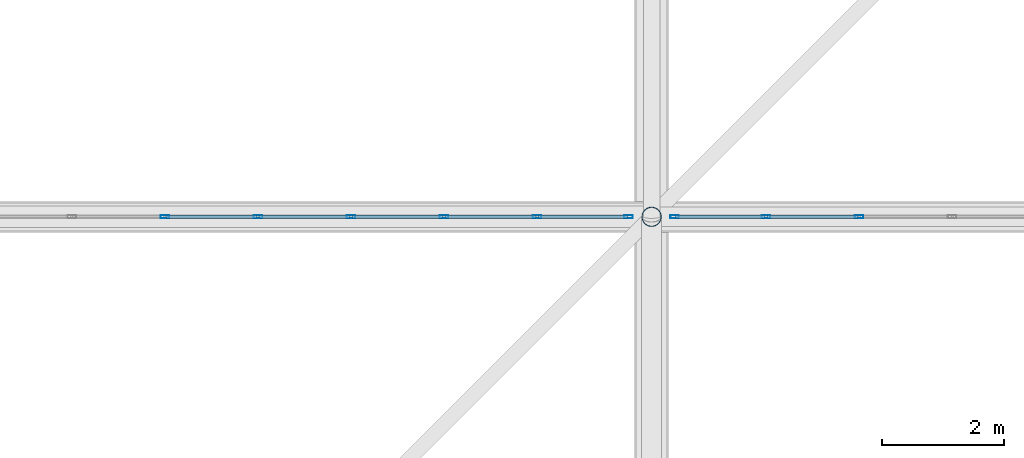
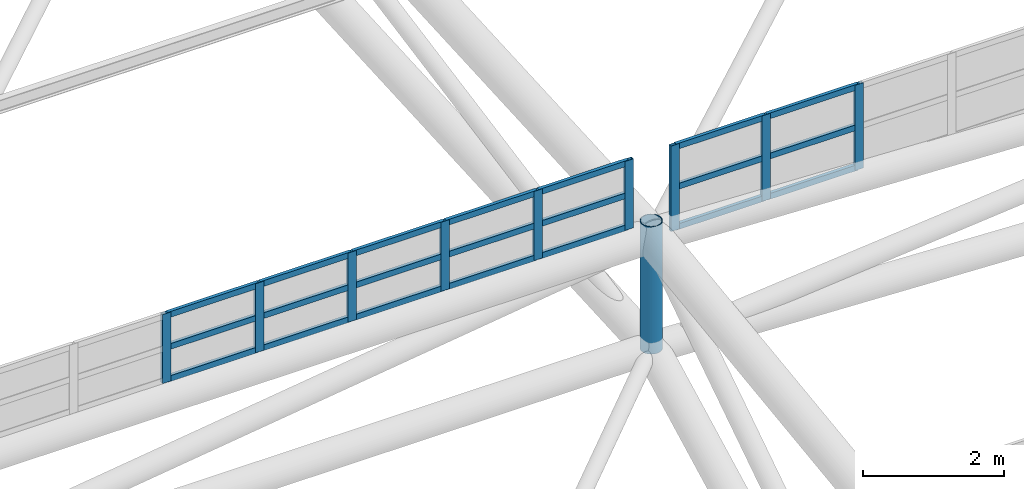
# One storey, part 97 of 397: 31 members, 2 elements without a shape of their own.
"""IFC4 building model written with IfcOpenShell, lengths in metres."""

import ifcopenshell
import ifcopenshell.guid

model = None  # the IFC model being written
_history = None  # IfcOwnerHistory: only IFC2X3 demands one
_inside = {}  # id of a spatial element -> (the spatial element, [elements in it])
_under = {}  # id of a project, library or spatial element -> (it, [spatial elements below it])
_declared = {}  # id of a project -> (the project, [libraries it declares])
_typed = {}  # id of a type object -> (the type object, [elements of that type])
_made_of = {}  # id of a material, layer set ... -> (it, [elements and type objects made of it])


def new_model(schema):
    """Start an empty IFC model of exactly this schema.

    Asked for "IFC4X3", IfcOpenShell would pick the latest addendum, in which some entities
    have other attributes; the version numbers below select the first issue.
    IFC2X3 requires an IfcOwnerHistory on every rooted entity: one is made here for all.
    """
    global model, _history
    if schema == "IFC4X3":
        model = ifcopenshell.file(schema_version=(4, 3, 0, 0))
    else:
        model = ifcopenshell.file(schema=schema)
    _inside.clear()
    _under.clear()
    _declared.clear()
    _typed.clear()
    _made_of.clear()
    _history = None
    if model.schema == "IFC2X3":
        org = make("IfcOrganization", Name="unknown")
        user = make(
            "IfcPersonAndOrganization",
            ThePerson=make("IfcPerson", FamilyName="unknown"),
            TheOrganization=org,
        )
        app = make(
            "IfcApplication",
            ApplicationDeveloper=org,
            Version="unknown",
            ApplicationFullName="unknown",
            ApplicationIdentifier="unknown",
        )
        _history = make(
            "IfcOwnerHistory",
            OwningUser=user,
            OwningApplication=app,
            ChangeAction="ADDED",
            CreationDate=0,
        )
    return model


def make(cls, **values):
    """One entity of the class cls with the attributes given. An attribute that is None is left unset."""
    return model.create_entity(
        cls, **{name: value for name, value in values.items() if value is not None}
    )


def rooted(cls, **values):
    """An entity with a GlobalId (a new one), such as an element, a storey or a relation."""
    return make(cls, GlobalId=ifcopenshell.guid.new(), OwnerHistory=_history, **values)


def si_unit(unit_type, name, prefix=None):
    """IfcSIUnit, for example si_unit("LENGTHUNIT", "METRE", prefix="MILLI")."""
    return make("IfcSIUnit", UnitType=unit_type, Prefix=prefix, Name=name)


def assignment(units):
    """IfcUnitAssignment: the units of a project."""
    return None if units is None else make("IfcUnitAssignment", Units=units)


def point(xyz):
    """IfcCartesianPoint."""
    return None if xyz is None else make("IfcCartesianPoint", Coordinates=xyz)


def direction(xyz):
    """IfcDirection."""
    return None if xyz is None else make("IfcDirection", DirectionRatios=xyz)


def frame(location, z_axis=None, x_axis=None):
    """IfcAxis2Placement3D, a coordinate frame: its origin and axes. An axis left out is left unset."""
    return make(
        "IfcAxis2Placement3D",
        Location=point(location),
        Axis=direction(z_axis),
        RefDirection=direction(x_axis),
    )


def frame_2d(location, x_axis=None):
    """IfcAxis2Placement2D, a coordinate frame in the plane: its origin and x axis."""
    return make(
        "IfcAxis2Placement2D", Location=point(location), RefDirection=direction(x_axis)
    )


def origin():
    """The frame at (0, 0, 0) with its axes left unset."""
    return frame((0.0, 0.0, 0.0))


def origin_2d():
    """The frame at (0, 0) in the plane with its x axis left unset."""
    return frame_2d((0.0, 0.0))


def place(relative_to, where):
    """IfcLocalPlacement: puts the frame where relative to a parent placement (None: the world)."""
    return make(
        "IfcLocalPlacement", PlacementRelTo=relative_to, RelativePlacement=where
    )


def context(
    kind, dimensions, precision=None, world=None, true_north=None, identifier=None
):
    """IfcGeometricRepresentationContext, for example the 3D "Model" context."""
    return make(
        "IfcGeometricRepresentationContext",
        ContextIdentifier=identifier,
        ContextType=kind,
        CoordinateSpaceDimension=dimensions,
        Precision=precision,
        WorldCoordinateSystem=world,
        TrueNorth=true_north,
    )


def subcontext(parent, identifier, kind, view, scale=None):
    """IfcGeometricRepresentationSubContext, for example "Body" below "Model"."""
    return make(
        "IfcGeometricRepresentationSubContext",
        ContextIdentifier=identifier,
        ContextType=kind,
        ParentContext=parent,
        TargetScale=scale,
        TargetView=view,
    )


def project(units=None, contexts=None):
    """IfcProject with its units and contexts."""
    return rooted(
        "IfcProject",
        Name="project",
        RepresentationContexts=contexts,
        UnitsInContext=assignment(units),
    )


def spatial(cls, under=None, at=None, **own):
    """A site, building, storey or space (cls), placed at a placement, below another one or the project."""
    s = rooted(cls, ObjectPlacement=at, **own)
    if under is not None:
        _under.setdefault(under.id(), (under, []))[1].append(s)
    return s


def profile(cls, at=None, kind="AREA", **sizes):
    """A parametric profile (cls). Its sizes go by their IFC names, for example OverallWidth=200.0."""
    return make(cls, ProfileType=kind, Position=at, **sizes)


def hollow_rectangle(**sizes):
    """IfcRectangleHollowProfileDef."""
    return profile("IfcRectangleHollowProfileDef", **sizes)


def hollow_circle(**sizes):
    """IfcCircleHollowProfileDef."""
    return profile("IfcCircleHollowProfileDef", **sizes)


def extrude(swept, where, along, depth):
    """IfcExtrudedAreaSolid: the profile swept, set in the frame where, extruded along a direction by depth."""
    return make(
        "IfcExtrudedAreaSolid",
        SweptArea=swept,
        Position=where,
        ExtrudedDirection=direction(along),
        Depth=depth,
    )


def shape(context_of_items, identifier, shape_type, items):
    """IfcShapeRepresentation: the items that make up one representation, for example the "Body"."""
    return make(
        "IfcShapeRepresentation",
        ContextOfItems=context_of_items,
        RepresentationIdentifier=identifier,
        RepresentationType=shape_type,
        Items=items,
    )


def material(Name=None, Category=None):
    """IfcMaterial."""
    return make("IfcMaterial", Name=Name, Category=Category)


def material_profile(
    of_material, cross_section, Name=None, Category=None, Priority=None
):
    """IfcMaterialProfile: a cross section and its material."""
    return make(
        "IfcMaterialProfile",
        Name=Name,
        Material=of_material,
        Profile=cross_section,
        Priority=Priority,
        Category=Category,
    )


def profile_set(profiles, Name=None, composite=None):
    """IfcMaterialProfileSet."""
    return make(
        "IfcMaterialProfileSet",
        Name=Name,
        MaterialProfiles=profiles,
        CompositeProfile=composite,
    )


def made_of(thing, what):
    """Note that an element or type object is made of a material, layer set ...; save() writes the relation."""
    if what is not None:
        _made_of.setdefault(what.id(), (what, []))[1].append(thing)
    return thing


def type_object(cls, material=None, **own):
    """A type object (cls), such as IfcWallType, which elements share."""
    return made_of(rooted(cls, **own), material)


def element(
    cls,
    number,
    at=None,
    inside=None,
    cuts=None,
    type_object=None,
    material=None,
    context=None,
    identifier="Body",
    shape_type=None,
    held_by="IfcProductDefinitionShape",
    body=None,
    shapes=None,
    **own,
):
    """One element of the class cls, such as IfcWall. Its Tag is "e" and its number.

    at: its placement. inside: the storey or other place that contains it. cuts: it is an
    opening in that element (IfcRelVoidsElement). A single representation is given by context,
    identifier, shape_type and body (its items); several are given by shapes. held_by: the class
    of the entity that holds the representations. save() writes the other relations.
    """
    e = rooted(cls, Tag="e%d" % number, ObjectPlacement=at, **own)
    if body is not None:
        shapes = [shape(context, identifier, shape_type, body)]
    if shapes is not None:
        e.Representation = make(held_by, Representations=shapes)
    if inside is not None:
        _inside.setdefault(inside.id(), (inside, []))[1].append(e)
    if cuts is not None:
        rooted(
            "IfcRelVoidsElement", RelatingBuildingElement=cuts, RelatedOpeningElement=e
        )
    if type_object is not None:
        _typed.setdefault(type_object.id(), (type_object, []))[1].append(e)
    return made_of(e, material)


def aggregate(whole, parts):
    """IfcRelAggregates: a whole, such as a stair, and the parts it consists of."""
    return rooted("IfcRelAggregates", RelatingObject=whole, RelatedObjects=parts)


def save(model, path):
    """Write the relations noted so far, then the file.

    IfcRelAggregates (storeys below a building ...), IfcRelContainedInSpatialStructure (elements
    in a storey), IfcRelDefinesByType, IfcRelAssociatesMaterial and IfcRelDeclares: one each for
    every whole, place, type object, material and project.
    """
    for whole, parts in _under.values():
        aggregate(whole, parts)
    for where, things in _inside.values():
        rooted(
            "IfcRelContainedInSpatialStructure",
            RelatedElements=things,
            RelatingStructure=where,
        )
    for kind, things in _typed.values():
        rooted("IfcRelDefinesByType", RelatedObjects=things, RelatingType=kind)
    for what, things in _made_of.values():
        rooted("IfcRelAssociatesMaterial", RelatedObjects=things, RelatingMaterial=what)
    for by, libraries in _declared.values():
        rooted("IfcRelDeclares", RelatingContext=by, RelatedDefinitions=libraries)
    model.write(path)


model = new_model("IFC4")

# Units and contexts
model_context = context("Model", 3, precision=1e-05, world=origin(), true_north=direction((0.0, 1.0)))
body_context = subcontext(model_context, "Body", "Model", "MODEL_VIEW")
ifc_project = project(units=[si_unit("LENGTHUNIT", "METRE"), si_unit("AREAUNIT", "SQUARE_METRE"), si_unit("VOLUMEUNIT", "CUBIC_METRE"), si_unit("PLANEANGLEUNIT", "RADIAN"), si_unit("MASSUNIT", "GRAM", prefix="KILO")], contexts=[model_context])

# Site, building, storey
site_placement = place(None, origin())
site = spatial("IfcSite", under=ifc_project, at=site_placement, CompositionType="ELEMENT")
building_placement = place(site_placement, origin())
building = spatial("IfcBuilding", under=site, at=building_placement, Name="Qandorah Velis Arena", CompositionType="ELEMENT")
storey_placement = place(building_placement, frame((0.0, 0.0, 27.5)))
storey = spatial("IfcBuildingStorey", under=building, at=storey_placement, Name="RF", CompositionType="ELEMENT", Elevation=27.5)

# Curtain wall, members
ifc_material_1 = material(Name="Solar-control low-E double glazing", Category="glass")
curtain_wall_type_1 = type_object("IfcCurtainWallType", Name="ARC-CW-SYS18", PredefinedType="USERDEFINED", material=ifc_material_1)
curtain_wall_1_placement = place(storey_placement, origin())
curtain_wall_1 = element("IfcCurtainWall", 1, at=curtain_wall_1_placement, inside=storey, type_object=curtain_wall_type_1, Name="Unitised curtain wall OCULUS-3-3", ObjectType="UNITISED CURTAIN WALL", PredefinedType="USERDEFINED")
ifc_material_2 = material(Name="Champagne-bronze anodized aluminium 6063-T6", Category="aluminium")
ifc_material_profile_1 = material_profile(ifc_material_2, hollow_rectangle(XDim=0.054931640625, YDim=0.139892578125, WallThickness=0.0029296875, at=origin_2d()), Name="ALU MULLION 55x140")
ifc_profile_set_1 = profile_set([ifc_material_profile_1], Name="Champagne-bronze anodized aluminium 6063-T6")
member_type_1 = type_object("IfcMemberType", Name="ARC-CWM-140", PredefinedType="MULLION", material=ifc_profile_set_1)
member_1_placement = place(storey_placement, frame((64.038818359375, 28.800048828125, 9.81640625), z_axis=(0.0, 0.0, 1.0), x_axis=(0.0, 1.0, 0.0)))
member_1 = element("IfcMember", 2, at=member_1_placement, type_object=member_type_1, Name="CW18 mullion 5", PredefinedType="MULLION", context=body_context, shape_type="SweptSolid", body=[
    extrude(hollow_rectangle(XDim=0.054931640625, YDim=0.139892578125, WallThickness=0.0029296875, at=origin_2d()), origin(), (0.0, 0.0, 1.0), 1.198486328125),
])
member_2_placement = place(storey_placement, frame((65.56103515625, 28.800048828125, 9.81640625), z_axis=(0.0, 0.0, 1.0), x_axis=(0.0, 1.0, 0.0)))
member_2 = element("IfcMember", 3, at=member_2_placement, type_object=member_type_1, Name="CW18 mullion 6", PredefinedType="MULLION", context=body_context, shape_type="SweptSolid", body=[
    extrude(hollow_rectangle(XDim=0.054931640625, YDim=0.139892578125, WallThickness=0.0029296875, at=origin_2d()), origin(), (0.0, 0.0, 1.0), 1.198486328125),
])
member_3_placement = place(storey_placement, frame((67.083251953125, 28.800048828125, 9.81640625), z_axis=(0.0, 0.0, 1.0), x_axis=(0.0, 1.0, 0.0)))
member_3 = element("IfcMember", 4, at=member_3_placement, type_object=member_type_1, Name="CW18 mullion 7", PredefinedType="MULLION", context=body_context, shape_type="SweptSolid", body=[
    extrude(hollow_rectangle(XDim=0.054931640625, YDim=0.139892578125, WallThickness=0.0029296875, at=origin_2d()), origin(), (0.0, 0.0, 1.0), 1.198486328125),
])
member_4_placement = place(storey_placement, frame((68.60546875, 28.800048828125, 9.81640625), z_axis=(0.0, 0.0, 1.0), x_axis=(0.0, 1.0, 0.0)))
member_4 = element("IfcMember", 5, at=member_4_placement, type_object=member_type_1, Name="CW18 mullion 8", PredefinedType="MULLION", context=body_context, shape_type="SweptSolid", body=[
    extrude(hollow_rectangle(XDim=0.054931640625, YDim=0.139892578125, WallThickness=0.0029296875, at=origin_2d()), origin(), (0.0, 0.0, 1.0), 1.198486328125),
])
member_5_placement = place(storey_placement, frame((70.127685546875, 28.800048828125, 9.81640625), z_axis=(0.0, 0.0, 1.0), x_axis=(0.0, 1.0, 0.0)))
member_5 = element("IfcMember", 6, at=member_5_placement, type_object=member_type_1, Name="CW18 mullion 9", PredefinedType="MULLION", context=body_context, shape_type="SweptSolid", body=[
    extrude(hollow_rectangle(XDim=0.054931640625, YDim=0.139892578125, WallThickness=0.0029296875, at=origin_2d()), origin(), (0.0, 0.0, 1.0), 1.198486328125),
])
member_6_placement = place(storey_placement, frame((71.62255859375, 28.800048828125, 9.81640625), z_axis=(0.0, 0.0, 1.0), x_axis=(0.0, 1.0, 0.0)))
member_6 = element("IfcMember", 7, at=member_6_placement, type_object=member_type_1, Name="CW18 mullion 10", PredefinedType="MULLION", context=body_context, shape_type="SweptSolid", body=[
    extrude(hollow_rectangle(XDim=0.054931640625, YDim=0.139892578125, WallThickness=0.0029296875, at=origin_2d()), origin(), (0.0, 0.0, 1.0), 1.198486328125),
])

curtain_wall_type_2 = type_object("IfcCurtainWallType", Name="ARC-CW-SYS19", PredefinedType="USERDEFINED", material=ifc_material_1)
curtain_wall_2_placement = place(storey_placement, origin())
curtain_wall_2 = element("IfcCurtainWall", 8, at=curtain_wall_2_placement, inside=storey, type_object=curtain_wall_type_2, Name="Unitised curtain wall OCULUS-3-4", ObjectType="UNITISED CURTAIN WALL", PredefinedType="USERDEFINED")
member_7_placement = place(storey_placement, frame((72.37744140625, 28.800048828125, 9.5341796875), z_axis=(0.0, 0.0, 1.0), x_axis=(0.0, 1.0, 0.0)))
member_7 = element("IfcMember", 9, at=member_7_placement, type_object=member_type_1, Name="CW19 mullion 1", PredefinedType="MULLION", context=body_context, shape_type="SweptSolid", body=[
    extrude(hollow_rectangle(XDim=0.054931640625, YDim=0.139892578125, WallThickness=0.0029296875, at=origin_2d()), origin(), (0.0, 0.0, 1.0), 1.480712890625),
])
member_8_placement = place(storey_placement, frame((73.872314453125, 28.800048828125, 9.5341796875), z_axis=(0.0, 0.0, 1.0), x_axis=(0.0, 1.0, 0.0)))
member_8 = element("IfcMember", 10, at=member_8_placement, type_object=member_type_1, Name="CW19 mullion 2", PredefinedType="MULLION", context=body_context, shape_type="SweptSolid", body=[
    extrude(hollow_rectangle(XDim=0.054931640625, YDim=0.139892578125, WallThickness=0.0029296875, at=origin_2d()), origin(), (0.0, 0.0, 1.0), 1.480712890625),
])
member_9_placement = place(storey_placement, frame((75.39453125, 28.800048828125, 9.5341796875), z_axis=(0.0, 0.0, 1.0), x_axis=(0.0, 1.0, 0.0)))
member_9 = element("IfcMember", 11, at=member_9_placement, type_object=member_type_1, Name="CW19 mullion 3", PredefinedType="MULLION", context=body_context, shape_type="SweptSolid", body=[
    extrude(hollow_rectangle(XDim=0.054931640625, YDim=0.139892578125, WallThickness=0.0029296875, at=origin_2d()), origin(), (0.0, 0.0, 1.0), 1.480712890625),
])

# Member
ifc_material_profile_2 = material_profile(ifc_material_2, hollow_rectangle(XDim=0.054931640625, YDim=0.10009765625, WallThickness=0.0029296875, at=origin_2d()), Name="ALU TRANSOM 55x100")
ifc_profile_set_2 = profile_set([ifc_material_profile_2], Name="Champagne-bronze anodized aluminium 6063-T6")
member_type_2 = type_object("IfcMemberType", Name="ARC-CWT-100", PredefinedType="USERDEFINED", material=ifc_profile_set_2)
member_10_placement = place(storey_placement, frame((64.054443359375, 28.800048828125, 9.85888671875), z_axis=(1.0, 0.0, 0.0), x_axis=(0.0, 1.0, 0.0)))
member_10 = element("IfcMember", 12, at=member_10_placement, type_object=member_type_2, Name="CW18 transom 5.1", ObjectType="TRANSOM", PredefinedType="USERDEFINED", context=body_context, shape_type="SweptSolid", body=[
    extrude(hollow_rectangle(XDim=0.054931640625, YDim=0.10009765625, WallThickness=0.0029296875, at=origin_2d()), origin(), (0.0, 0.0, 1.0), 1.4912109375),
])

member_11_placement = place(storey_placement, frame((64.054443359375, 28.800048828125, 10.415771484375), z_axis=(1.0, 0.0, 0.0), x_axis=(0.0, 1.0, 0.0)))
member_11 = element("IfcMember", 13, at=member_11_placement, type_object=member_type_2, Name="CW18 transom 5.2", ObjectType="TRANSOM", PredefinedType="USERDEFINED", context=body_context, shape_type="SweptSolid", body=[
    extrude(hollow_rectangle(XDim=0.054931640625, YDim=0.10009765625, WallThickness=0.0029296875, at=origin_2d()), origin(), (0.0, 0.0, 1.0), 1.4912109375),
])

member_12_placement = place(storey_placement, frame((64.054443359375, 28.800048828125, 10.972412109375), z_axis=(1.0, 0.0, 0.0), x_axis=(0.0, 1.0, 0.0)))
member_12 = element("IfcMember", 14, at=member_12_placement, type_object=member_type_2, Name="CW18 transom 5.3", ObjectType="TRANSOM", PredefinedType="USERDEFINED", context=body_context, shape_type="SweptSolid", body=[
    extrude(hollow_rectangle(XDim=0.054931640625, YDim=0.10009765625, WallThickness=0.0029296875, at=origin_2d()), origin(), (0.0, 0.0, 1.0), 1.4912109375),
])

member_13_placement = place(storey_placement, frame((65.57666015625, 28.800048828125, 9.85888671875), z_axis=(1.0, 0.0, 0.0), x_axis=(0.0, 1.0, 0.0)))
member_13 = element("IfcMember", 15, at=member_13_placement, type_object=member_type_2, Name="CW18 transom 6.1", ObjectType="TRANSOM", PredefinedType="USERDEFINED", context=body_context, shape_type="SweptSolid", body=[
    extrude(hollow_rectangle(XDim=0.054931640625, YDim=0.10009765625, WallThickness=0.0029296875, at=origin_2d()), origin(), (0.0, 0.0, 1.0), 1.4912109375),
])

member_14_placement = place(storey_placement, frame((65.57666015625, 28.800048828125, 10.415771484375), z_axis=(1.0, 0.0, 0.0), x_axis=(0.0, 1.0, 0.0)))
member_14 = element("IfcMember", 16, at=member_14_placement, type_object=member_type_2, Name="CW18 transom 6.2", ObjectType="TRANSOM", PredefinedType="USERDEFINED", context=body_context, shape_type="SweptSolid", body=[
    extrude(hollow_rectangle(XDim=0.054931640625, YDim=0.10009765625, WallThickness=0.0029296875, at=origin_2d()), origin(), (0.0, 0.0, 1.0), 1.4912109375),
])

member_15_placement = place(storey_placement, frame((65.57666015625, 28.800048828125, 10.972412109375), z_axis=(1.0, 0.0, 0.0), x_axis=(0.0, 1.0, 0.0)))
member_15 = element("IfcMember", 17, at=member_15_placement, type_object=member_type_2, Name="CW18 transom 6.3", ObjectType="TRANSOM", PredefinedType="USERDEFINED", context=body_context, shape_type="SweptSolid", body=[
    extrude(hollow_rectangle(XDim=0.054931640625, YDim=0.10009765625, WallThickness=0.0029296875, at=origin_2d()), origin(), (0.0, 0.0, 1.0), 1.4912109375),
])

member_16_placement = place(storey_placement, frame((67.098876953125, 28.800048828125, 9.85888671875), z_axis=(1.0, 0.0, 0.0), x_axis=(0.0, 1.0, 0.0)))
member_16 = element("IfcMember", 18, at=member_16_placement, type_object=member_type_2, Name="CW18 transom 7.1", ObjectType="TRANSOM", PredefinedType="USERDEFINED", context=body_context, shape_type="SweptSolid", body=[
    extrude(hollow_rectangle(XDim=0.054931640625, YDim=0.10009765625, WallThickness=0.0029296875, at=origin_2d()), origin(), (0.0, 0.0, 1.0), 1.4912109375),
])

member_17_placement = place(storey_placement, frame((67.098876953125, 28.800048828125, 10.415771484375), z_axis=(1.0, 0.0, 0.0), x_axis=(0.0, 1.0, 0.0)))
member_17 = element("IfcMember", 19, at=member_17_placement, type_object=member_type_2, Name="CW18 transom 7.2", ObjectType="TRANSOM", PredefinedType="USERDEFINED", context=body_context, shape_type="SweptSolid", body=[
    extrude(hollow_rectangle(XDim=0.054931640625, YDim=0.10009765625, WallThickness=0.0029296875, at=origin_2d()), origin(), (0.0, 0.0, 1.0), 1.4912109375),
])

member_18_placement = place(storey_placement, frame((67.098876953125, 28.800048828125, 10.972412109375), z_axis=(1.0, 0.0, 0.0), x_axis=(0.0, 1.0, 0.0)))
member_18 = element("IfcMember", 20, at=member_18_placement, type_object=member_type_2, Name="CW18 transom 7.3", ObjectType="TRANSOM", PredefinedType="USERDEFINED", context=body_context, shape_type="SweptSolid", body=[
    extrude(hollow_rectangle(XDim=0.054931640625, YDim=0.10009765625, WallThickness=0.0029296875, at=origin_2d()), origin(), (0.0, 0.0, 1.0), 1.4912109375),
])

member_19_placement = place(storey_placement, frame((68.62109375, 28.800048828125, 9.85888671875), z_axis=(1.0, 0.0, 0.0), x_axis=(0.0, 1.0, 0.0)))
member_19 = element("IfcMember", 21, at=member_19_placement, type_object=member_type_2, Name="CW18 transom 8.1", ObjectType="TRANSOM", PredefinedType="USERDEFINED", context=body_context, shape_type="SweptSolid", body=[
    extrude(hollow_rectangle(XDim=0.054931640625, YDim=0.10009765625, WallThickness=0.0029296875, at=origin_2d()), origin(), (0.0, 0.0, 1.0), 1.4912109375),
])

member_20_placement = place(storey_placement, frame((68.62109375, 28.800048828125, 10.415771484375), z_axis=(1.0, 0.0, 0.0), x_axis=(0.0, 1.0, 0.0)))
member_20 = element("IfcMember", 22, at=member_20_placement, type_object=member_type_2, Name="CW18 transom 8.2", ObjectType="TRANSOM", PredefinedType="USERDEFINED", context=body_context, shape_type="SweptSolid", body=[
    extrude(hollow_rectangle(XDim=0.054931640625, YDim=0.10009765625, WallThickness=0.0029296875, at=origin_2d()), origin(), (0.0, 0.0, 1.0), 1.4912109375),
])

member_21_placement = place(storey_placement, frame((68.62109375, 28.800048828125, 10.972412109375), z_axis=(1.0, 0.0, 0.0), x_axis=(0.0, 1.0, 0.0)))
member_21 = element("IfcMember", 23, at=member_21_placement, type_object=member_type_2, Name="CW18 transom 8.3", ObjectType="TRANSOM", PredefinedType="USERDEFINED", context=body_context, shape_type="SweptSolid", body=[
    extrude(hollow_rectangle(XDim=0.054931640625, YDim=0.10009765625, WallThickness=0.0029296875, at=origin_2d()), origin(), (0.0, 0.0, 1.0), 1.4912109375),
])

member_22_placement = place(storey_placement, frame((70.143310546875, 28.800048828125, 9.85888671875), z_axis=(1.0, 0.0, 0.0), x_axis=(0.0, 1.0, 0.0)))
member_22 = element("IfcMember", 24, at=member_22_placement, type_object=member_type_2, Name="CW18 transom 9.1", ObjectType="TRANSOM", PredefinedType="USERDEFINED", context=body_context, shape_type="SweptSolid", body=[
    extrude(hollow_rectangle(XDim=0.054931640625, YDim=0.10009765625, WallThickness=0.0029296875, at=origin_2d()), origin(), (0.0, 0.0, 1.0), 1.463623046875),
])

member_23_placement = place(storey_placement, frame((70.143310546875, 28.800048828125, 10.415771484375), z_axis=(1.0, 0.0, 0.0), x_axis=(0.0, 1.0, 0.0)))
member_23 = element("IfcMember", 25, at=member_23_placement, type_object=member_type_2, Name="CW18 transom 9.2", ObjectType="TRANSOM", PredefinedType="USERDEFINED", context=body_context, shape_type="SweptSolid", body=[
    extrude(hollow_rectangle(XDim=0.054931640625, YDim=0.10009765625, WallThickness=0.0029296875, at=origin_2d()), origin(), (0.0, 0.0, 1.0), 1.463623046875),
])

member_24_placement = place(storey_placement, frame((70.143310546875, 28.800048828125, 10.972412109375), z_axis=(1.0, 0.0, 0.0), x_axis=(0.0, 1.0, 0.0)))
member_24 = element("IfcMember", 26, at=member_24_placement, type_object=member_type_2, Name="CW18 transom 9.3", ObjectType="TRANSOM", PredefinedType="USERDEFINED", context=body_context, shape_type="SweptSolid", body=[
    extrude(hollow_rectangle(XDim=0.054931640625, YDim=0.10009765625, WallThickness=0.0029296875, at=origin_2d()), origin(), (0.0, 0.0, 1.0), 1.463623046875),
])

aggregate(curtain_wall_1, [member_1, member_2, member_3, member_4, member_5, member_6, member_10, member_11, member_12, member_13, member_14, member_15, member_16, member_17, member_18, member_19, member_20, member_21, member_22, member_23, member_24])

member_25_placement = place(storey_placement, frame((72.39306640625, 28.800048828125, 9.57666015625), z_axis=(1.0, 0.0, 0.0), x_axis=(0.0, 1.0, 0.0)))
member_25 = element("IfcMember", 27, at=member_25_placement, type_object=member_type_2, Name="CW19 transom 1.1", ObjectType="TRANSOM", PredefinedType="USERDEFINED", context=body_context, shape_type="SweptSolid", body=[
    extrude(hollow_rectangle(XDim=0.054931640625, YDim=0.10009765625, WallThickness=0.0029296875, at=origin_2d()), origin(), (0.0, 0.0, 1.0), 1.463623046875),
])

member_26_placement = place(storey_placement, frame((72.39306640625, 28.800048828125, 10.274658203125), z_axis=(1.0, 0.0, 0.0), x_axis=(0.0, 1.0, 0.0)))
member_26 = element("IfcMember", 28, at=member_26_placement, type_object=member_type_2, Name="CW19 transom 1.2", ObjectType="TRANSOM", PredefinedType="USERDEFINED", context=body_context, shape_type="SweptSolid", body=[
    extrude(hollow_rectangle(XDim=0.054931640625, YDim=0.10009765625, WallThickness=0.0029296875, at=origin_2d()), origin(), (0.0, 0.0, 1.0), 1.463623046875),
])

member_27_placement = place(storey_placement, frame((72.39306640625, 28.800048828125, 10.972412109375), z_axis=(1.0, 0.0, 0.0), x_axis=(0.0, 1.0, 0.0)))
member_27 = element("IfcMember", 29, at=member_27_placement, type_object=member_type_2, Name="CW19 transom 1.3", ObjectType="TRANSOM", PredefinedType="USERDEFINED", context=body_context, shape_type="SweptSolid", body=[
    extrude(hollow_rectangle(XDim=0.054931640625, YDim=0.10009765625, WallThickness=0.0029296875, at=origin_2d()), origin(), (0.0, 0.0, 1.0), 1.463623046875),
])

member_28_placement = place(storey_placement, frame((73.8876953125, 28.800048828125, 9.57666015625), z_axis=(1.0, 0.0, 0.0), x_axis=(0.0, 1.0, 0.0)))
member_28 = element("IfcMember", 30, at=member_28_placement, type_object=member_type_2, Name="CW19 transom 2.1", ObjectType="TRANSOM", PredefinedType="USERDEFINED", context=body_context, shape_type="SweptSolid", body=[
    extrude(hollow_rectangle(XDim=0.054931640625, YDim=0.10009765625, WallThickness=0.0029296875, at=origin_2d()), origin(), (0.0, 0.0, 1.0), 1.4912109375),
])

member_29_placement = place(storey_placement, frame((73.8876953125, 28.800048828125, 10.274658203125), z_axis=(1.0, 0.0, 0.0), x_axis=(0.0, 1.0, 0.0)))
member_29 = element("IfcMember", 31, at=member_29_placement, type_object=member_type_2, Name="CW19 transom 2.2", ObjectType="TRANSOM", PredefinedType="USERDEFINED", context=body_context, shape_type="SweptSolid", body=[
    extrude(hollow_rectangle(XDim=0.054931640625, YDim=0.10009765625, WallThickness=0.0029296875, at=origin_2d()), origin(), (0.0, 0.0, 1.0), 1.4912109375),
])

member_30_placement = place(storey_placement, frame((73.8876953125, 28.800048828125, 10.972412109375), z_axis=(1.0, 0.0, 0.0), x_axis=(0.0, 1.0, 0.0)))
member_30 = element("IfcMember", 32, at=member_30_placement, type_object=member_type_2, Name="CW19 transom 2.3", ObjectType="TRANSOM", PredefinedType="USERDEFINED", context=body_context, shape_type="SweptSolid", body=[
    extrude(hollow_rectangle(XDim=0.054931640625, YDim=0.10009765625, WallThickness=0.0029296875, at=origin_2d()), origin(), (0.0, 0.0, 1.0), 1.4912109375),
])

aggregate(curtain_wall_2, [member_7, member_8, member_9, member_25, member_26, member_27, member_28, member_29, member_30])

ifc_material_3 = material(Name="Steel S355", Category="steel")
ifc_material_profile_3 = material_profile(ifc_material_3, hollow_circle(Radius=0.161865234375, WallThickness=0.012451171875, at=origin_2d()), Name="CHS 323.9x12.5")
ifc_profile_set_3 = profile_set([ifc_material_profile_3], Name="Steel S355")
member_type_3 = type_object("IfcMemberType", Name="STR-SFD-CHS323X12", PredefinedType="CHORD", material=ifc_profile_set_3)
member_31_placement = place(storey_placement, frame((72.0, 28.800048828125, 7.61328125), z_axis=(0.0, 0.0, 1.0), x_axis=(1.0, 0.0, 0.0)))
element("IfcMember", 33, at=member_31_placement, inside=storey, type_object=member_type_3, Name="Space frame roof vertical post 4.1", PredefinedType="CHORD", context=body_context, shape_type="SweptSolid", body=[
    extrude(hollow_circle(Radius=0.161865234375, WallThickness=0.012451171875, at=origin_2d()), origin(), (0.0, 0.0, 1.0), 2.2099609375),
])

save(model, "model.ifc")
